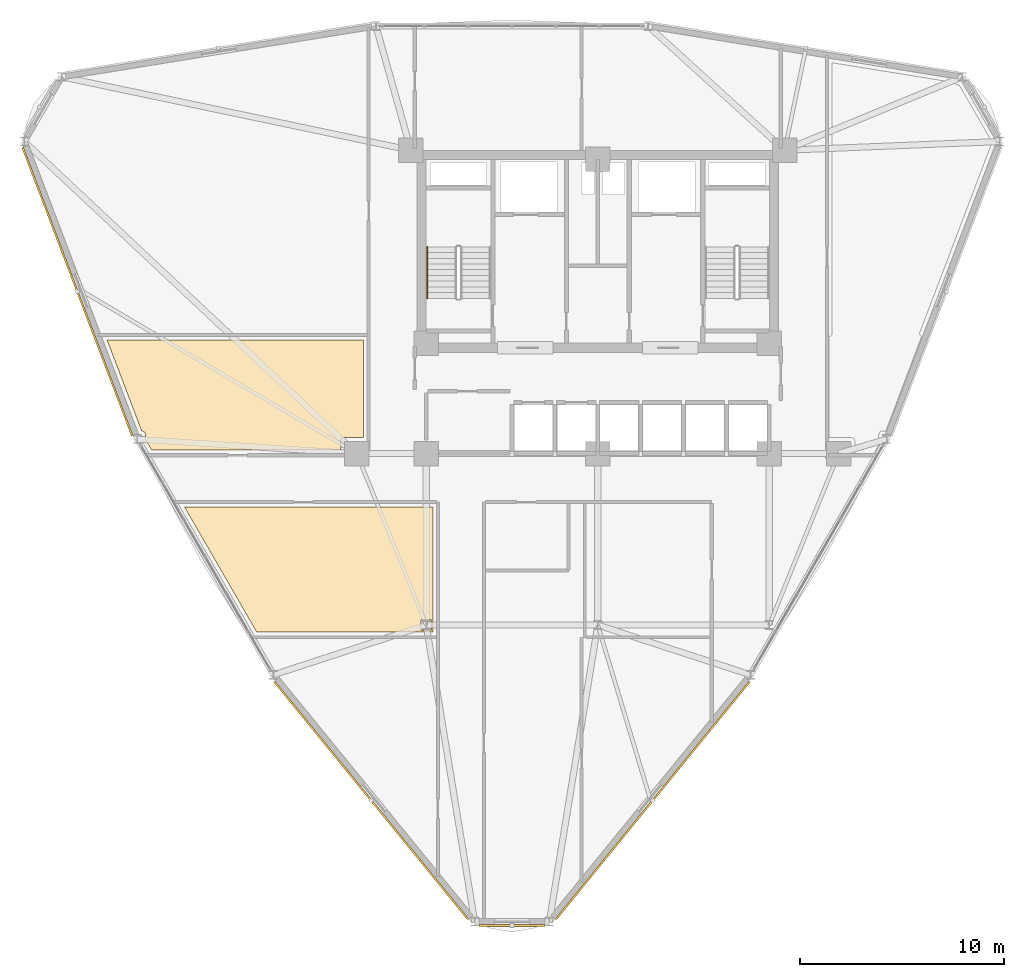
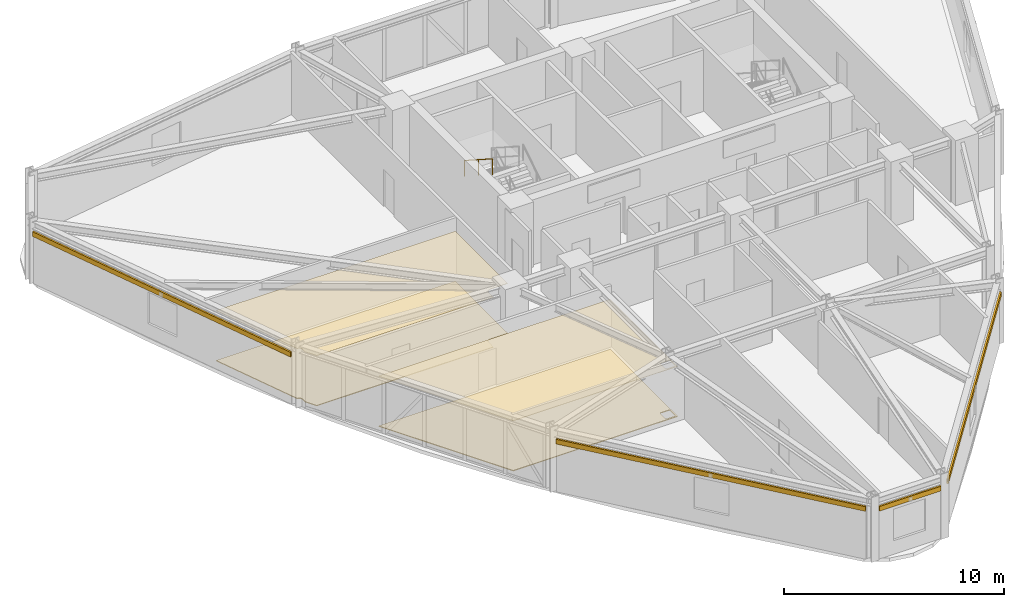
# One storey, part 15 of 18: 4 coverings, 4 shading devices, 1 railing.
"""IFC4 building model written with IfcOpenShell, lengths in metres."""

import ifcopenshell
import ifcopenshell.guid

model = None  # the IFC model being written
_history = None  # IfcOwnerHistory: only IFC2X3 demands one
_inside = {}  # id of a spatial element -> (the spatial element, [elements in it])
_under = {}  # id of a project, library or spatial element -> (it, [spatial elements below it])
_declared = {}  # id of a project -> (the project, [libraries it declares])
_typed = {}  # id of a type object -> (the type object, [elements of that type])
_made_of = {}  # id of a material, layer set ... -> (it, [elements and type objects made of it])


def new_model(schema):
    """Start an empty IFC model of exactly this schema.

    Asked for "IFC4X3", IfcOpenShell would pick the latest addendum, in which some entities
    have other attributes; the version numbers below select the first issue.
    IFC2X3 requires an IfcOwnerHistory on every rooted entity: one is made here for all.
    """
    global model, _history
    if schema == "IFC4X3":
        model = ifcopenshell.file(schema_version=(4, 3, 0, 0))
    else:
        model = ifcopenshell.file(schema=schema)
    _inside.clear()
    _under.clear()
    _declared.clear()
    _typed.clear()
    _made_of.clear()
    _history = None
    if model.schema == "IFC2X3":
        org = make("IfcOrganization", Name="unknown")
        user = make(
            "IfcPersonAndOrganization",
            ThePerson=make("IfcPerson", FamilyName="unknown"),
            TheOrganization=org,
        )
        app = make(
            "IfcApplication",
            ApplicationDeveloper=org,
            Version="unknown",
            ApplicationFullName="unknown",
            ApplicationIdentifier="unknown",
        )
        _history = make(
            "IfcOwnerHistory",
            OwningUser=user,
            OwningApplication=app,
            ChangeAction="ADDED",
            CreationDate=0,
        )
    return model


def make(cls, **values):
    """One entity of the class cls with the attributes given. An attribute that is None is left unset."""
    return model.create_entity(
        cls, **{name: value for name, value in values.items() if value is not None}
    )


def rooted(cls, **values):
    """An entity with a GlobalId (a new one), such as an element, a storey or a relation."""
    return make(cls, GlobalId=ifcopenshell.guid.new(), OwnerHistory=_history, **values)


def si_unit(unit_type, name, prefix=None):
    """IfcSIUnit, for example si_unit("LENGTHUNIT", "METRE", prefix="MILLI")."""
    return make("IfcSIUnit", UnitType=unit_type, Prefix=prefix, Name=name)


def derived_unit(unit_type, elements):
    """IfcDerivedUnit: a product of units, each with its exponent."""
    return make(
        "IfcDerivedUnit",
        Elements=[
            make("IfcDerivedUnitElement", Unit=unit, Exponent=power)
            for unit, power in elements
        ],
        UnitType=unit_type,
    )


def assignment(units):
    """IfcUnitAssignment: the units of a project."""
    return None if units is None else make("IfcUnitAssignment", Units=units)


def point(xyz):
    """IfcCartesianPoint."""
    return None if xyz is None else make("IfcCartesianPoint", Coordinates=xyz)


def direction(xyz):
    """IfcDirection."""
    return None if xyz is None else make("IfcDirection", DirectionRatios=xyz)


def frame(location, z_axis=None, x_axis=None):
    """IfcAxis2Placement3D, a coordinate frame: its origin and axes. An axis left out is left unset."""
    return make(
        "IfcAxis2Placement3D",
        Location=point(location),
        Axis=direction(z_axis),
        RefDirection=direction(x_axis),
    )


def frame_2d(location, x_axis=None):
    """IfcAxis2Placement2D, a coordinate frame in the plane: its origin and x axis."""
    return make(
        "IfcAxis2Placement2D", Location=point(location), RefDirection=direction(x_axis)
    )


def origin():
    """The frame at (0, 0, 0) with its axes left unset."""
    return frame((0.0, 0.0, 0.0))


def origin_2d():
    """The frame at (0, 0) in the plane with its x axis left unset."""
    return frame_2d((0.0, 0.0))


def place(relative_to, where):
    """IfcLocalPlacement: puts the frame where relative to a parent placement (None: the world)."""
    return make(
        "IfcLocalPlacement", PlacementRelTo=relative_to, RelativePlacement=where
    )


def context(
    kind, dimensions, precision=None, world=None, true_north=None, identifier=None
):
    """IfcGeometricRepresentationContext, for example the 3D "Model" context."""
    return make(
        "IfcGeometricRepresentationContext",
        ContextIdentifier=identifier,
        ContextType=kind,
        CoordinateSpaceDimension=dimensions,
        Precision=precision,
        WorldCoordinateSystem=world,
        TrueNorth=true_north,
    )


def subcontext(parent, identifier, kind, view, scale=None):
    """IfcGeometricRepresentationSubContext, for example "Body" below "Model"."""
    return make(
        "IfcGeometricRepresentationSubContext",
        ContextIdentifier=identifier,
        ContextType=kind,
        ParentContext=parent,
        TargetScale=scale,
        TargetView=view,
    )


def project(units=None, contexts=None):
    """IfcProject with its units and contexts."""
    return rooted(
        "IfcProject",
        Name="project",
        RepresentationContexts=contexts,
        UnitsInContext=assignment(units),
    )


def spatial(cls, under=None, at=None, **own):
    """A site, building, storey or space (cls), placed at a placement, below another one or the project."""
    s = rooted(cls, ObjectPlacement=at, **own)
    if under is not None:
        _under.setdefault(under.id(), (under, []))[1].append(s)
    return s


def polyline(points):
    """IfcPolyline through the points."""
    return make("IfcPolyline", Points=[point(p) for p in points])


def profile(cls, at=None, kind="AREA", **sizes):
    """A parametric profile (cls). Its sizes go by their IFC names, for example OverallWidth=200.0."""
    return make(cls, ProfileType=kind, Position=at, **sizes)


def hollow_rectangle(**sizes):
    """IfcRectangleHollowProfileDef."""
    return profile("IfcRectangleHollowProfileDef", **sizes)


def circle(**sizes):
    """IfcCircleProfileDef."""
    return profile("IfcCircleProfileDef", **sizes)


def outline(outer, holes=None, kind="AREA"):
    """IfcArbitraryClosedProfileDef: a profile drawn as a closed curve; with holes, ...WithVoids."""
    if holes is None:
        return make("IfcArbitraryClosedProfileDef", ProfileType=kind, OuterCurve=outer)
    return make(
        "IfcArbitraryProfileDefWithVoids",
        ProfileType=kind,
        OuterCurve=outer,
        InnerCurves=holes,
    )


def extrude(swept, where, along, depth):
    """IfcExtrudedAreaSolid: the profile swept, set in the frame where, extruded along a direction by depth."""
    return make(
        "IfcExtrudedAreaSolid",
        SweptArea=swept,
        Position=where,
        ExtrudedDirection=direction(along),
        Depth=depth,
    )


def shape(context_of_items, identifier, shape_type, items):
    """IfcShapeRepresentation: the items that make up one representation, for example the "Body"."""
    return make(
        "IfcShapeRepresentation",
        ContextOfItems=context_of_items,
        RepresentationIdentifier=identifier,
        RepresentationType=shape_type,
        Items=items,
    )


def source(mapping_origin, context_of_items, identifier, shape_type, items):
    """IfcRepresentationMap: a shape defined once, which mapped items show again and again."""
    return make(
        "IfcRepresentationMap",
        MappingOrigin=mapping_origin,
        MappedRepresentation=shape(context_of_items, identifier, shape_type, items),
    )


def transform(
    local_origin,
    x_axis=None,
    y_axis=None,
    z_axis=None,
    scale=None,
    scale2=None,
    scale3=None,
    uniform=True,
):
    """IfcCartesianTransformationOperator3D, or its non-uniform kind. x_axis, y_axis, z_axis: its Axis1, 2, 3."""
    if uniform:
        return make(
            "IfcCartesianTransformationOperator3D",
            Axis1=direction(x_axis),
            Axis2=direction(y_axis),
            LocalOrigin=point(local_origin),
            Scale=scale,
            Axis3=direction(z_axis),
        )
    return make(
        "IfcCartesianTransformationOperator3DnonUniform",
        Axis1=direction(x_axis),
        Axis2=direction(y_axis),
        LocalOrigin=point(local_origin),
        Scale=scale,
        Axis3=direction(z_axis),
        Scale2=scale2,
        Scale3=scale3,
    )


def mapped(mapping_source, mapping_target):
    """IfcMappedItem: shows the shape of a source again, moved by a transform."""
    return make(
        "IfcMappedItem", MappingSource=mapping_source, MappingTarget=mapping_target
    )


def material(Name=None, Category=None):
    """IfcMaterial."""
    return make("IfcMaterial", Name=Name, Category=Category)


def layer(
    of_material, thickness, ventilated=None, Name=None, Category=None, Priority=None
):
    """IfcMaterialLayer: one layer of a wall or slab, of a material (None: an air gap)."""
    return make(
        "IfcMaterialLayer",
        Material=of_material,
        LayerThickness=thickness,
        IsVentilated=ventilated,
        Name=Name,
        Category=Category,
        Priority=Priority,
    )


def layer_set(layers, Name=None):
    """IfcMaterialLayerSet."""
    return make("IfcMaterialLayerSet", MaterialLayers=layers, LayerSetName=Name)


def material_profile(
    of_material, cross_section, Name=None, Category=None, Priority=None
):
    """IfcMaterialProfile: a cross section and its material."""
    return make(
        "IfcMaterialProfile",
        Name=Name,
        Material=of_material,
        Profile=cross_section,
        Priority=Priority,
        Category=Category,
    )


def profile_set(profiles, Name=None, composite=None):
    """IfcMaterialProfileSet."""
    return make(
        "IfcMaterialProfileSet",
        Name=Name,
        MaterialProfiles=profiles,
        CompositeProfile=composite,
    )


def made_of(thing, what):
    """Note that an element or type object is made of a material, layer set ...; save() writes the relation."""
    if what is not None:
        _made_of.setdefault(what.id(), (what, []))[1].append(thing)
    return thing


def type_object(cls, material=None, **own):
    """A type object (cls), such as IfcWallType, which elements share."""
    return made_of(rooted(cls, **own), material)


def element(
    cls,
    number,
    at=None,
    inside=None,
    cuts=None,
    type_object=None,
    material=None,
    context=None,
    identifier="Body",
    shape_type=None,
    held_by="IfcProductDefinitionShape",
    body=None,
    shapes=None,
    **own,
):
    """One element of the class cls, such as IfcWall. Its Tag is "e" and its number.

    at: its placement. inside: the storey or other place that contains it. cuts: it is an
    opening in that element (IfcRelVoidsElement). A single representation is given by context,
    identifier, shape_type and body (its items); several are given by shapes. held_by: the class
    of the entity that holds the representations. save() writes the other relations.
    """
    e = rooted(cls, Tag="e%d" % number, ObjectPlacement=at, **own)
    if body is not None:
        shapes = [shape(context, identifier, shape_type, body)]
    if shapes is not None:
        e.Representation = make(held_by, Representations=shapes)
    if inside is not None:
        _inside.setdefault(inside.id(), (inside, []))[1].append(e)
    if cuts is not None:
        rooted(
            "IfcRelVoidsElement", RelatingBuildingElement=cuts, RelatedOpeningElement=e
        )
    if type_object is not None:
        _typed.setdefault(type_object.id(), (type_object, []))[1].append(e)
    return made_of(e, material)


def aggregate(whole, parts):
    """IfcRelAggregates: a whole, such as a stair, and the parts it consists of."""
    return rooted("IfcRelAggregates", RelatingObject=whole, RelatedObjects=parts)


def save(model, path):
    """Write the relations noted so far, then the file.

    IfcRelAggregates (storeys below a building ...), IfcRelContainedInSpatialStructure (elements
    in a storey), IfcRelDefinesByType, IfcRelAssociatesMaterial and IfcRelDeclares: one each for
    every whole, place, type object, material and project.
    """
    for whole, parts in _under.values():
        aggregate(whole, parts)
    for where, things in _inside.values():
        rooted(
            "IfcRelContainedInSpatialStructure",
            RelatedElements=things,
            RelatingStructure=where,
        )
    for kind, things in _typed.values():
        rooted("IfcRelDefinesByType", RelatedObjects=things, RelatingType=kind)
    for what, things in _made_of.values():
        rooted("IfcRelAssociatesMaterial", RelatedObjects=things, RelatingMaterial=what)
    for by, libraries in _declared.values():
        rooted("IfcRelDeclares", RelatingContext=by, RelatedDefinitions=libraries)
    model.write(path)


model = new_model("IFC4")

# Units and contexts
model_context = context("Model", 3, precision=1e-05, world=origin(), true_north=direction((0.0, 1.0)))
body_context = subcontext(model_context, "Body", "Model", "MODEL_VIEW")
ifc_project = project(units=[si_unit("LENGTHUNIT", "METRE"), si_unit("AREAUNIT", "SQUARE_METRE"), si_unit("VOLUMEUNIT", "CUBIC_METRE"), si_unit("PLANEANGLEUNIT", "RADIAN"), si_unit("MASSUNIT", "GRAM", prefix="KILO"), derived_unit("THERMALTRANSMITTANCEUNIT", [(si_unit("POWERUNIT", "WATT"), 1), (si_unit("LENGTHUNIT", "METRE"), -2), (si_unit("THERMODYNAMICTEMPERATUREUNIT", "KELVIN"), -1)])], contexts=[model_context])

# Site, building, storey
site_placement = place(None, origin())
site = spatial("IfcSite", under=ifc_project, at=site_placement, CompositionType="ELEMENT")
building_placement = place(site_placement, origin())
building = spatial("IfcBuilding", under=site, at=building_placement, Name="Korsvarv Bourse and Concert Hall", CompositionType="ELEMENT")
storey_placement = place(building_placement, frame((0.0, 0.0, 139.800048828125)))
storey = spatial("IfcBuildingStorey", under=building, at=storey_placement, Name="L35", CompositionType="ELEMENT", Elevation=139.800048828125)

# Coverings
ifc_material_1 = material(Name="Perforated mineral-wool and birch acoustic baffle ceiling", Category="wood")
ifc_layer_1 = layer(ifc_material_1, 0.02490234375)
ifc_layer_set_1 = layer_set([ifc_layer_1], Name="Perforated mineral-wool and birch acoustic baffle ceiling")
covering_type_1 = type_object("IfcCoveringType", Name="COV-CEIL-1", PredefinedType="CEILING", material=ifc_layer_set_1)
covering_1_placement = place(storey_placement, frame((0.0, 0.0, 2.780029296875)))
element("IfcCovering", 1, at=covering_1_placement, inside=storey, type_object=covering_type_1, Name="L35 acoustic baffle ceiling 2", PredefinedType="CEILING", context=body_context, shape_type="SweptSolid", body=[
    extrude(outline(polyline([(19.3037109375, 23.64990234375), (15.7705078125, 29.77001953125), (27.919921875, 29.77001953125), (27.919921875, 23.64990234375), (19.3037109375, 23.64990234375)]), holes=[polyline([(27.38427734375, 23.7333984375), (27.805908203125, 23.732421875), (27.82958984375, 23.73828125), (27.84765625, 23.754638671875), (27.855712890625, 23.777587890625), (27.85595703125, 24.217529296875), (27.85009765625, 24.2412109375), (27.833740234375, 24.259033203125), (27.810791015625, 24.267333984375), (27.39404296875, 24.267578125), (27.370361328125, 24.26171875), (27.352294921875, 24.245361328125), (27.34423828125, 24.222412109375), (27.343994140625, 23.782470703125), (27.349853515625, 23.7587890625), (27.38427734375, 23.7333984375)])]), origin(), (0.0, 0.0, 1.0), 0.02490234375),
])
covering_2_placement = place(storey_placement, frame((0.0, 0.0, 2.780029296875)))
element("IfcCovering", 2, at=covering_2_placement, inside=storey, type_object=covering_type_1, Name="L35 acoustic baffle ceiling 3", PredefinedType="CEILING", context=body_context, shape_type="SweptSolid", body=[
    extrude(outline(polyline([(13.849853515625, 33.0966796875), (13.849853515625, 33.320068359375), (13.84619140625, 33.355712890625), (13.835693359375, 33.389892578125), (13.818603515625, 33.42138671875), (13.795654296875, 33.44873046875), (13.767578125, 33.47119140625), (13.73583984375, 33.487548828125), (13.701416015625, 33.497314453125), (13.666259765625, 33.500732421875), (11.97509765625, 37.949951171875), (24.52001953125, 37.949951171875), (24.52001953125, 33.18994140625), (23.60009765625, 33.18994140625), (23.565185546875, 33.1865234375), (23.53173828125, 33.176513671875), (23.5009765625, 33.160400390625), (23.473876953125, 33.13818359375), (23.451416015625, 33.111572265625), (23.4345703125, 33.080810546875), (23.424072265625, 33.047607421875), (23.419921875, 33.012939453125), (23.412841796875, 32.570068359375), (14.154052734375, 32.570068359375), (13.849853515625, 33.0966796875)])), origin(), (0.0, 0.0, 1.0), 0.02490234375),
])
ifc_material_2 = material(Name="Calcium-sulphate raised access trading floor with Nordic oak top", Category="wood")
ifc_layer_2 = layer(ifc_material_2, 0.0400390625)
ifc_layer_set_2 = layer_set([ifc_layer_2], Name="Calcium-sulphate raised access trading floor with Nordic oak top")
covering_type_2 = type_object("IfcCoveringType", Name="COV-FLOR-1", PredefinedType="FLOORING", material=ifc_layer_set_2)
covering_3_placement = place(storey_placement, origin())
element("IfcCovering", 3, at=covering_3_placement, inside=storey, type_object=covering_type_2, Name="L35 raised access oak floor finish 2", PredefinedType="FLOORING", context=body_context, shape_type="SweptSolid", body=[
    extrude(outline(polyline([(19.3037109375, 23.64990234375), (15.7705078125, 29.77001953125), (27.919921875, 29.77001953125), (27.919921875, 23.64990234375), (19.3037109375, 23.64990234375)]), holes=[polyline([(27.38427734375, 23.7333984375), (27.805908203125, 23.732421875), (27.82958984375, 23.73828125), (27.84765625, 23.754638671875), (27.855712890625, 23.777587890625), (27.85595703125, 24.217529296875), (27.85009765625, 24.2412109375), (27.833740234375, 24.259033203125), (27.810791015625, 24.267333984375), (27.39404296875, 24.267578125), (27.370361328125, 24.26171875), (27.352294921875, 24.245361328125), (27.34423828125, 24.222412109375), (27.343994140625, 23.782470703125), (27.349853515625, 23.7587890625), (27.38427734375, 23.7333984375)])]), origin(), (0.0, 0.0, 1.0), 0.0400390625),
])
covering_4_placement = place(storey_placement, origin())
element("IfcCovering", 4, at=covering_4_placement, inside=storey, type_object=covering_type_2, Name="L35 raised access oak floor finish 3", PredefinedType="FLOORING", context=body_context, shape_type="SweptSolid", body=[
    extrude(outline(polyline([(13.849853515625, 33.0966796875), (13.849853515625, 33.320068359375), (13.84619140625, 33.355712890625), (13.835693359375, 33.389892578125), (13.818603515625, 33.42138671875), (13.795654296875, 33.44873046875), (13.767578125, 33.47119140625), (13.73583984375, 33.487548828125), (13.701416015625, 33.497314453125), (13.666259765625, 33.500732421875), (11.97509765625, 37.949951171875), (24.52001953125, 37.949951171875), (24.52001953125, 33.18994140625), (23.60009765625, 33.18994140625), (23.565185546875, 33.1865234375), (23.53173828125, 33.176513671875), (23.5009765625, 33.160400390625), (23.473876953125, 33.13818359375), (23.451416015625, 33.111572265625), (23.4345703125, 33.080810546875), (23.424072265625, 33.047607421875), (23.419921875, 33.012939453125), (23.412841796875, 32.570068359375), (14.154052734375, 32.570068359375), (13.849853515625, 33.0966796875)])), origin(), (0.0, 0.0, 1.0), 0.0400390625),
])

# Railing
ifc_material_3 = material(Name="Brushed stainless Steel S355 tubular handrail", Category="steel")
railing_type = type_object("IfcRailingType", Name="RL-ST-HND", PredefinedType="HANDRAIL", material=ifc_material_3)
railing_placement = place(storey_placement, frame((27.64990234375, 42.52001953125, 1.97998046875)))
element("IfcRailing", 5, at=railing_placement, inside=storey, type_object=railing_type, Name="L35 ST-T1 stair handrail 2", PredefinedType="HANDRAIL", context=body_context, shape_type="SweptSolid", body=[
    extrude(circle(Radius=0.02392578125, at=origin_2d()), frame((0.0, 0.0, 0.8759765625), z_axis=(0.0, -0.841199657755, 0.540724639528), x_axis=(1.0, 0.0, 0.0)), (0.0, 0.0, 1.0), 2.995849609375),
    extrude(circle(Radius=0.02099609375, at=origin_2d()), origin(), (0.0, 0.0, 1.0), 0.851806640625),
    extrude(circle(Radius=0.02099609375, at=origin_2d()), frame((0.0, -1.260009765625, 0.81005859375)), (0.0, 0.0, 1.0), 0.851806640625),
    extrude(circle(Radius=0.02099609375, at=origin_2d()), frame((0.0, -2.52001953125, 1.619873046875)), (0.0, 0.0, 1.0), 0.851806640625),
])

# Shading devices
ifc_material_4 = material(Name="Glazed extruded architectural terracotta", Category="ceramic")
ifc_material_profile = material_profile(ifc_material_4, hollow_rectangle(XDim=0.090087890625, YDim=0.260009765625, WallThickness=0.011962890625, at=origin_2d()), Name="TC-BAG 90x260")
ifc_profile_set = profile_set([ifc_material_profile], Name="Glazed extruded architectural terracotta")
shading_device_type = type_object("IfcShadingDeviceType", Name="SHD-BAG-1", PredefinedType="USERDEFINED", material=ifc_profile_set)
shared_shape_1 = source(origin(), body_context, "Body", "SweptSolid", [
    extrude(hollow_rectangle(XDim=0.090087890625, YDim=0.260009765625, WallThickness=0.011962890625, at=origin_2d()), origin(), (0.0, 0.0, 1.0), 15.116943359375),
])
shading_device_1_placement = place(storey_placement, frame((7.834716796875, 47.393310546875, 2.7900390625), z_axis=(0.355302150634, -0.934751508025, 0.0), x_axis=(0.934751508025, 0.355302150634, 0.0)))
element("IfcShadingDevice", 6, at=shading_device_1_placement, inside=storey, type_object=shading_device_type, Name="L35 terracotta baguette sunshade EW-L35-B06", ObjectType="BAGUETTE", PredefinedType="USERDEFINED", context=body_context, shape_type="MappedRepresentation", body=[
    mapped(shared_shape_1, transform((0.0, 0.0, 0.0), scale=1.0)),
])
shared_shape_2 = source(origin(), body_context, "Body", "SweptSolid", [
    extrude(hollow_rectangle(XDim=0.090087890625, YDim=0.260009765625, WallThickness=0.011962890625, at=origin_2d()), origin(), (0.0, 0.0, 1.0), 15.0185546875),
])
for number, where, z_axis, x_axis, name in (
    (7, (20.163330078125, 21.227294921875, 2.83984375), (0.631882431987, -0.775064250334, 0.0), (0.775064250334, 0.631882431987, 0.0), "L35 terracotta baguette sunshade EW-L35-B08"),
    (8, (33.94677734375, 9.5869140625, 2.83984375), (0.631872666528, 0.775072211665, 0.0), (-0.775072211665, 0.631872666528, 0.0), "L35 terracotta baguette sunshade EW-L35-B10"),
):
    element("IfcShadingDevice", number, at=place(storey_placement, frame(where, z_axis=z_axis, x_axis=x_axis)), inside=storey, type_object=shading_device_type, Name=name, ObjectType="BAGUETTE", PredefinedType="USERDEFINED", context=body_context, shape_type="MappedRepresentation", body=[
        mapped(shared_shape_2, transform((0.0, 0.0, 0.0), scale=1.0)),
    ])
shared_shape_3 = source(origin(), body_context, "Body", "SweptSolid", [
    extrude(hollow_rectangle(XDim=0.090087890625, YDim=0.260009765625, WallThickness=0.011962890625, at=origin_2d()), origin(), (0.0, 0.0, 1.0), 3.2373046875),
])
shading_device_2_placement = place(storey_placement, frame((30.181396484375, 9.2900390625, 2.83984375), z_axis=(1.0, 0.0, 0.0), x_axis=(0.0, 1.0, 0.0)))
element("IfcShadingDevice", 9, at=shading_device_2_placement, inside=storey, type_object=shading_device_type, Name="L35 terracotta baguette sunshade EW-L35-B09", ObjectType="BAGUETTE", PredefinedType="USERDEFINED", context=body_context, shape_type="MappedRepresentation", body=[
    mapped(shared_shape_3, transform((0.0, 0.0, 0.0), scale=1.0)),
])

save(model, "model.ifc")
